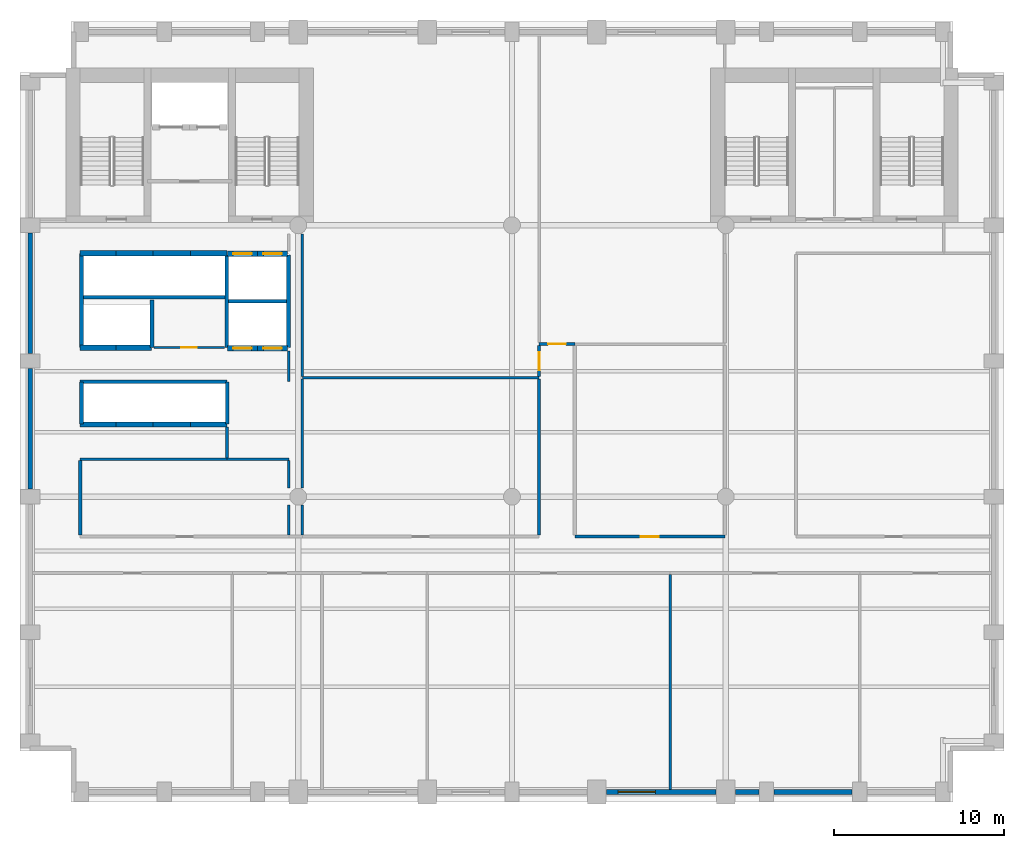
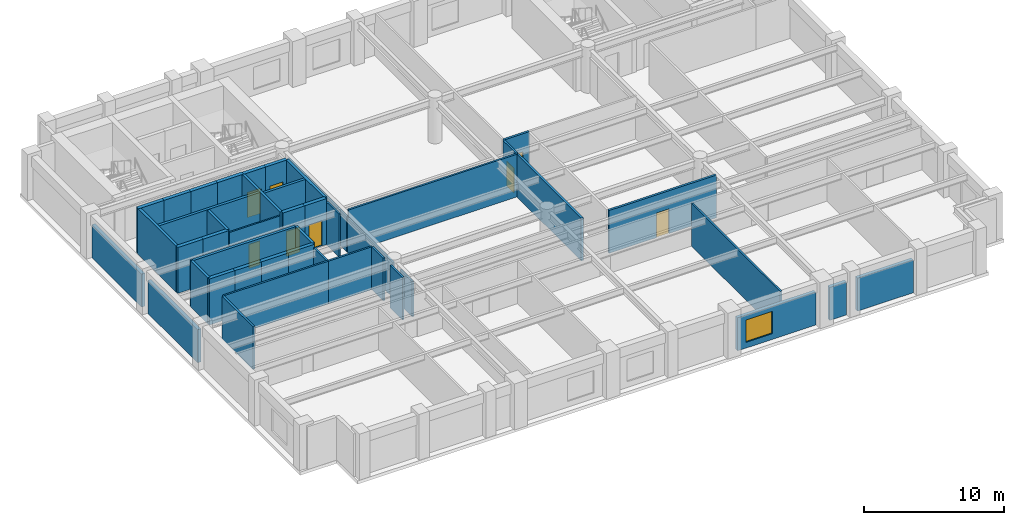
# One storey, part 3 of 7: 45 walls, 8 doors, 1 window, 9 openings.
"""IFC4 building model written with IfcOpenShell, lengths in metres."""

from ifc_helpers import new_model, si_unit, direction, frame, frame_2d, origin, place, context, subcontext, project, spatial, rectangle, extrude, material, layer, layer_set, type_object, element, fill, save


model = new_model("IFC4")

# Units and contexts
model_context = context("Model", 3, precision=1e-05, world=origin(), true_north=direction((0.0, 1.0)))
body_context = subcontext(model_context, "Body", "Model", "MODEL_VIEW")
ifc_project = project(units=[si_unit("LENGTHUNIT", "METRE"), si_unit("AREAUNIT", "SQUARE_METRE"), si_unit("VOLUMEUNIT", "CUBIC_METRE"), si_unit("PLANEANGLEUNIT", "RADIAN"), si_unit("MASSUNIT", "GRAM", prefix="KILO")], contexts=[model_context])

# Site, building, storey
site_placement = place(None, origin())
site = spatial("IfcSite", under=ifc_project, at=site_placement, CompositionType="ELEMENT")
building_placement = place(site_placement, origin())
building = spatial("IfcBuilding", under=site, at=building_placement, Name="Sulina Concourse Tower", CompositionType="ELEMENT")
storey_placement = place(building_placement, frame((0.0, 0.0, 92.60009765625)))
storey = spatial("IfcBuildingStorey", under=building, at=storey_placement, Name="L22", CompositionType="ELEMENT", Elevation=92.60009765625)

# Walls
ifc_material_1 = material(Name="Concrete C50/60", Category="concrete")
ifc_layer_1 = layer(ifc_material_1, 0.219970703125)
ifc_layer_set_1 = layer_set([ifc_layer_1], Name="Concrete C50/60")
wall_type_1 = type_object("IfcWallType", Name="Core Lift Hoistway Divider Wall 220mm", PredefinedType="SOLIDWALL", material=ifc_layer_set_1)
wall_1_placement = place(storey_placement, frame((3.550048828125, 29.75, 0.0), z_axis=(0.0, 0.0, 1.0), x_axis=(1.0, 0.0, 0.0)))
element("IfcWall", 1, at=wall_1_placement, inside=storey, type_object=wall_type_1, Name="L22 shaft divider wall HW-LP3-S", PredefinedType="SOLIDWALL", context=body_context, shape_type="SweptSolid", body=[
    extrude(rectangle(XDim=8.64990234375, YDim=0.219970703125, at=frame_2d((4.324951171875, 0.0))), origin(), (0.0, 0.0, 1.0), 4.0),
])
wall_2_placement = place(storey_placement, frame((3.6298828125, 26.800048828125, 0.0), z_axis=(0.0, 0.0, 1.0), x_axis=(0.0, 1.0, 0.0)))
element("IfcWall", 2, at=wall_2_placement, inside=storey, type_object=wall_type_1, Name="L22 shaft divider wall HW-LP3-W", PredefinedType="SOLIDWALL", context=body_context, shape_type="SweptSolid", body=[
    extrude(rectangle(XDim=5.550048828125, YDim=0.219970703125, at=frame_2d((2.77490234375, 0.0))), origin(), (0.0, 0.0, 1.0), 4.0),
])
wall_3_placement = place(storey_placement, frame((7.780029296875, 26.800048828125, 0.0), z_axis=(0.0, 0.0, 1.0), x_axis=(0.0, 1.0, 0.0)))
element("IfcWall", 3, at=wall_3_placement, inside=storey, type_object=wall_type_1, Name="L22 shaft divider wall HW-EXP-E", PredefinedType="SOLIDWALL", context=body_context, shape_type="SweptSolid", body=[
    extrude(rectangle(XDim=2.800048828125, YDim=0.219970703125, at=frame_2d((1.39990234375, 0.0))), origin(), (0.0, 0.0, 1.0), 4.0),
])
for number, where, z_axis, x_axis, name in (
    (4, (12.179931640625, 26.800048828125, 0.0), (0.0, 0.0, 1.0), (0.0, 1.0, 0.0), "L22 shaft divider wall HW-LP2-W"),
    (5, (15.820068359375, 26.800048828125, 0.0), (0.0, 0.0, 1.0), (0.0, 1.0, 0.0), "L22 shaft divider wall HW-LP2-E"),
):
    element("IfcWall", number, at=place(storey_placement, frame(where, z_axis=z_axis, x_axis=x_axis)), inside=storey, type_object=wall_type_1, Name=name, PredefinedType="SOLIDWALL", context=body_context, shape_type="SweptSolid", body=[
        extrude(rectangle(XDim=5.449951171875, YDim=0.219970703125, at=frame_2d((2.72509765625, 0.0))), origin(), (0.0, 0.0, 1.0), 4.0),
    ])
wall_4_placement = place(storey_placement, frame((12.300048828125, 29.52001953125, 0.0), z_axis=(0.0, 0.0, 1.0), x_axis=(1.0, 0.0, 0.0)))
element("IfcWall", 6, at=wall_4_placement, inside=storey, type_object=wall_type_1, Name="L22 shaft divider wall HW-LP2-M", PredefinedType="SOLIDWALL", context=body_context, shape_type="SweptSolid", body=[
    extrude(rectangle(XDim=3.39990234375, YDim=0.219970703125, at=frame_2d((1.699951171875, 0.0))), origin(), (0.0, 0.0, 1.0), 4.0),
])
wall_5_placement = place(storey_placement, frame((3.550048828125, 24.780029296875, 0.0), z_axis=(0.0, 0.0, 1.0), x_axis=(1.0, 0.0, 0.0)))
element("IfcWall", 7, at=wall_5_placement, inside=storey, type_object=wall_type_1, Name="L22 shaft divider wall HW-LP1-N", PredefinedType="SOLIDWALL", context=body_context, shape_type="SweptSolid", body=[
    extrude(rectangle(XDim=8.64990234375, YDim=0.219970703125, at=frame_2d((4.324951171875, 0.0))), origin(), (0.0, 0.0, 1.0), 4.0),
])
for number, where, z_axis, x_axis, name in (
    (8, (3.6298828125, 22.300048828125, 0.0), (0.0, 0.0, 1.0), (0.0, 1.0, 0.0), "L22 shaft divider wall HW-LP1-W"),
    (9, (12.219970703125, 22.300048828125, 0.0), (0.0, 0.0, 1.0), (0.0, 1.0, 0.0), "L22 shaft divider wall HW-LP1-E"),
):
    element("IfcWall", number, at=place(storey_placement, frame(where, z_axis=z_axis, x_axis=x_axis)), inside=storey, type_object=wall_type_1, Name=name, PredefinedType="SOLIDWALL", context=body_context, shape_type="SweptSolid", body=[
        extrude(rectangle(XDim=2.449951171875, YDim=0.219970703125, at=frame_2d((1.22509765625, 0.0))), origin(), (0.0, 0.0, 1.0), 4.0),
    ])
ifc_material_2 = material(Name="Concrete C50/60", Category="concrete")
ifc_layer_2 = layer(ifc_material_2, 0.300048828125)
ifc_layer_set_2 = layer_set([ifc_layer_2], Name="Concrete C50/60")
wall_type_2 = type_object("IfcWallType", Name="Core Lift Hoistway Wall 300mm", PredefinedType="SOLIDWALL", material=ifc_layer_set_2)
wall_6_placement = place(storey_placement, frame((5.64990234375, 22.25, 0.0), z_axis=(0.0, 0.0, 1.0), x_axis=(-1.0, 0.0, 0.0)))
element("IfcWall", 10, at=wall_6_placement, inside=storey, type_object=wall_type_2, Name="L22 hoistway enclosure wall LP-01", PredefinedType="SOLIDWALL", context=body_context, shape_type="SweptSolid", body=[
    extrude(rectangle(XDim=2.099853515625, YDim=0.300048828125, at=frame_2d((1.0498046875, 0.0))), origin(), (0.0, 0.0, 1.0), 4.0),
])
wall_7_placement = place(storey_placement, frame((7.85009765625, 22.25, 0.0), z_axis=(0.0, 0.0, 1.0), x_axis=(-1.0, 0.0, 0.0)))
element("IfcWall", 11, at=wall_7_placement, inside=storey, type_object=wall_type_2, Name="L22 hoistway enclosure wall LP-02", PredefinedType="SOLIDWALL", context=body_context, shape_type="SweptSolid", body=[
    extrude(rectangle(XDim=2.2001953125, YDim=0.300048828125, at=frame_2d((1.10009765625, 0.0))), origin(), (0.0, 0.0, 1.0), 4.0),
])
wall_8_placement = place(storey_placement, frame((10.050048828125, 22.25, 0.0), z_axis=(0.0, 0.0, 1.0), x_axis=(-1.0, 0.0, 0.0)))
element("IfcWall", 12, at=wall_8_placement, inside=storey, type_object=wall_type_2, Name="L22 hoistway enclosure wall LP-03", PredefinedType="SOLIDWALL", context=body_context, shape_type="SweptSolid", body=[
    extrude(rectangle(XDim=2.199951171875, YDim=0.300048828125, at=frame_2d((1.10009765625, 0.0))), origin(), (0.0, 0.0, 1.0), 4.0),
])
wall_9_placement = place(storey_placement, frame((12.199951171875, 22.25, 0.0), z_axis=(0.0, 0.0, 1.0), x_axis=(-1.0, 0.0, 0.0)))
element("IfcWall", 13, at=wall_9_placement, inside=storey, type_object=wall_type_2, Name="L22 hoistway enclosure wall LP-04", PredefinedType="SOLIDWALL", context=body_context, shape_type="SweptSolid", body=[
    extrude(rectangle(XDim=2.14990234375, YDim=0.300048828125, at=frame_2d((1.074951171875, 0.0))), origin(), (0.0, 0.0, 1.0), 4.0),
])

# Wall, opening, door
wall_10_placement = place(storey_placement, frame((14.0, 26.75, 0.0), z_axis=(0.0, 0.0, 1.0), x_axis=(-1.0, 0.0, 0.0)))
wall_10 = element("IfcWall", 14, at=wall_10_placement, inside=storey, type_object=wall_type_2, Name="L22 hoistway enclosure wall LP-05", PredefinedType="SOLIDWALL", context=body_context, shape_type="SweptSolid", body=[
    extrude(rectangle(XDim=1.780029296875, YDim=0.300048828125, at=frame_2d((0.89013671875, 0.0))), origin(), (0.0, 0.0, 1.0), 4.0),
])
opening_1_placement = place(wall_10_placement, frame((0.340087890625, 0.0, 0.0)))
opening_1 = element("IfcOpeningElement", 15, at=opening_1_placement, cuts=wall_10, Name="Opening LD-01", PredefinedType="OPENING", context=body_context, shape_type="SweptSolid", body=[
    extrude(rectangle(XDim=1.10009765625, YDim=2.199951171875, at=frame_2d((0.550048828125, 1.10009765625))), frame((0.0, 0.159912109375, 0.0), z_axis=(0.0, -1.0, 0.0), x_axis=(1.0, 0.0, 0.0)), (0.0, 0.0, 1.0), 0.320068359375),
])
ifc_material_3 = material(Name="Stainless steel lift landing door", Category="steel")
ifc_layer_3 = layer(ifc_material_3, 0.050048828125)
ifc_layer_set_3 = layer_set([ifc_layer_3], Name="Stainless steel lift landing door")
door_type_1 = type_object("IfcDoorType", Name="Passenger Lift Sliding Landing Door 1100x2200", OperationType="SLIDING_TO_LEFT", PredefinedType="DOOR", material=ifc_layer_set_3)
door_1_placement = place(opening_1_placement, origin())
door_1 = element("IfcDoor", 16, at=door_1_placement, inside=storey, type_object=door_type_1, Name="L22 lift landing sliding door LP-05", OperationType="SLIDING_TO_LEFT", OverallHeight=2.199951171875, OverallWidth=1.10009765625, PredefinedType="DOOR", context=body_context, shape_type="SweptSolid", body=[
    extrude(rectangle(XDim=1.10009765625, YDim=2.199951171875, at=frame_2d((0.550048828125, 1.10009765625))), frame((0.0, 0.02490234375, 0.0), z_axis=(0.0, -1.0, 0.0), x_axis=(1.0, 0.0, 0.0)), (0.0, 0.0, 1.0), 0.050048828125),
])
fill(opening_1, door_1)

wall_11_placement = place(storey_placement, frame((15.780029296875, 26.75, 0.0), z_axis=(0.0, 0.0, 1.0), x_axis=(-1.0, 0.0, 0.0)))
wall_11 = element("IfcWall", 17, at=wall_11_placement, inside=storey, type_object=wall_type_2, Name="L22 hoistway enclosure wall LP-06", PredefinedType="SOLIDWALL", context=body_context, shape_type="SweptSolid", body=[
    extrude(rectangle(XDim=1.780029296875, YDim=0.300048828125, at=frame_2d((0.89013671875, 0.0))), origin(), (0.0, 0.0, 1.0), 4.0),
])
opening_2_placement = place(wall_11_placement, frame((0.340087890625, 0.0, 0.0)))
opening_2 = element("IfcOpeningElement", 18, at=opening_2_placement, cuts=wall_11, Name="Opening LD-01", PredefinedType="OPENING", context=body_context, shape_type="SweptSolid", body=[
    extrude(rectangle(XDim=1.10009765625, YDim=2.199951171875, at=frame_2d((0.550048828125, 1.10009765625))), frame((0.0, 0.159912109375, 0.0), z_axis=(0.0, -1.0, 0.0), x_axis=(1.0, 0.0, 0.0)), (0.0, 0.0, 1.0), 0.320068359375),
])
door_2_placement = place(opening_2_placement, origin())
door_2 = element("IfcDoor", 19, at=door_2_placement, inside=storey, type_object=door_type_1, Name="L22 lift landing sliding door LP-06", OperationType="SLIDING_TO_RIGHT", OverallHeight=2.199951171875, OverallWidth=1.10009765625, PredefinedType="DOOR", context=body_context, shape_type="SweptSolid", body=[
    extrude(rectangle(XDim=1.10009765625, YDim=2.199951171875, at=frame_2d((0.550048828125, 1.10009765625))), frame((0.0, 0.02490234375, 0.0), z_axis=(0.0, -1.0, 0.0), x_axis=(1.0, 0.0, 0.0)), (0.0, 0.0, 1.0), 0.050048828125),
])
fill(opening_2, door_2)

wall_12_placement = place(storey_placement, frame((12.219970703125, 32.320068359375, 0.0), z_axis=(0.0, 0.0, 1.0), x_axis=(1.0, 0.0, 0.0)))
wall_12 = element("IfcWall", 20, at=wall_12_placement, inside=storey, type_object=wall_type_2, Name="L22 hoistway enclosure wall LP-07", PredefinedType="SOLIDWALL", context=body_context, shape_type="SweptSolid", body=[
    extrude(rectangle(XDim=1.780029296875, YDim=0.300048828125, at=frame_2d((0.89013671875, 0.0))), origin(), (0.0, 0.0, 1.0), 4.0),
])
opening_3_placement = place(wall_12_placement, frame((0.340087890625, 0.0, 0.0)))
opening_3 = element("IfcOpeningElement", 21, at=opening_3_placement, cuts=wall_12, Name="Opening LD-01", PredefinedType="OPENING", context=body_context, shape_type="SweptSolid", body=[
    extrude(rectangle(XDim=1.10009765625, YDim=2.199951171875, at=frame_2d((0.550048828125, 1.10009765625))), frame((0.0, 0.159912109375, 0.0), z_axis=(0.0, -1.0, 0.0), x_axis=(1.0, 0.0, 0.0)), (0.0, 0.0, 1.0), 0.320068359375),
])
door_3_placement = place(opening_3_placement, origin())
door_3 = element("IfcDoor", 22, at=door_3_placement, inside=storey, type_object=door_type_1, Name="L22 lift landing sliding door LP-07", OperationType="SLIDING_TO_LEFT", OverallHeight=2.199951171875, OverallWidth=1.10009765625, PredefinedType="DOOR", context=body_context, shape_type="SweptSolid", body=[
    extrude(rectangle(XDim=1.10009765625, YDim=2.199951171875, at=frame_2d((0.550048828125, 1.10009765625))), frame((0.0, 0.02490234375, 0.0), z_axis=(0.0, -1.0, 0.0), x_axis=(1.0, 0.0, 0.0)), (0.0, 0.0, 1.0), 0.050048828125),
])
fill(opening_3, door_3)

wall_13_placement = place(storey_placement, frame((14.0, 32.320068359375, 0.0), z_axis=(0.0, 0.0, 1.0), x_axis=(1.0, 0.0, 0.0)))
wall_13 = element("IfcWall", 23, at=wall_13_placement, inside=storey, type_object=wall_type_2, Name="L22 hoistway enclosure wall LP-08", PredefinedType="SOLIDWALL", context=body_context, shape_type="SweptSolid", body=[
    extrude(rectangle(XDim=1.780029296875, YDim=0.300048828125, at=frame_2d((0.89013671875, 0.0))), origin(), (0.0, 0.0, 1.0), 4.0),
])
opening_4_placement = place(wall_13_placement, frame((0.340087890625, 0.0, 0.0)))
opening_4 = element("IfcOpeningElement", 24, at=opening_4_placement, cuts=wall_13, Name="Opening LD-01", PredefinedType="OPENING", context=body_context, shape_type="SweptSolid", body=[
    extrude(rectangle(XDim=1.10009765625, YDim=2.199951171875, at=frame_2d((0.550048828125, 1.10009765625))), frame((0.0, 0.159912109375, 0.0), z_axis=(0.0, -1.0, 0.0), x_axis=(1.0, 0.0, 0.0)), (0.0, 0.0, 1.0), 0.320068359375),
])
door_4_placement = place(opening_4_placement, origin())
door_4 = element("IfcDoor", 25, at=door_4_placement, inside=storey, type_object=door_type_1, Name="L22 lift landing sliding door LP-08", OperationType="SLIDING_TO_RIGHT", OverallHeight=2.199951171875, OverallWidth=1.10009765625, PredefinedType="DOOR", context=body_context, shape_type="SweptSolid", body=[
    extrude(rectangle(XDim=1.10009765625, YDim=2.199951171875, at=frame_2d((0.550048828125, 1.10009765625))), frame((0.0, 0.02490234375, 0.0), z_axis=(0.0, -1.0, 0.0), x_axis=(1.0, 0.0, 0.0)), (0.0, 0.0, 1.0), 0.050048828125),
])
fill(opening_4, door_4)

# Walls
wall_14_placement = place(storey_placement, frame((3.550048828125, 32.35009765625, 0.0), z_axis=(0.0, 0.0, 1.0), x_axis=(1.0, 0.0, 0.0)))
element("IfcWall", 26, at=wall_14_placement, inside=storey, type_object=wall_type_2, Name="L22 hoistway enclosure wall LP-09", PredefinedType="SOLIDWALL", context=body_context, shape_type="SweptSolid", body=[
    extrude(rectangle(XDim=2.099853515625, YDim=0.300048828125, at=frame_2d((1.0498046875, 0.0))), origin(), (0.0, 0.0, 1.0), 4.0),
])
wall_15_placement = place(storey_placement, frame((5.64990234375, 32.35009765625, 0.0), z_axis=(0.0, 0.0, 1.0), x_axis=(1.0, 0.0, 0.0)))
element("IfcWall", 27, at=wall_15_placement, inside=storey, type_object=wall_type_2, Name="L22 hoistway enclosure wall LP-10", PredefinedType="SOLIDWALL", context=body_context, shape_type="SweptSolid", body=[
    extrude(rectangle(XDim=2.2001953125, YDim=0.300048828125, at=frame_2d((1.10009765625, 0.0))), origin(), (0.0, 0.0, 1.0), 4.0),
])
wall_16_placement = place(storey_placement, frame((7.85009765625, 32.35009765625, 0.0), z_axis=(0.0, 0.0, 1.0), x_axis=(1.0, 0.0, 0.0)))
element("IfcWall", 28, at=wall_16_placement, inside=storey, type_object=wall_type_2, Name="L22 hoistway enclosure wall LP-11", PredefinedType="SOLIDWALL", context=body_context, shape_type="SweptSolid", body=[
    extrude(rectangle(XDim=2.199951171875, YDim=0.300048828125, at=frame_2d((1.10009765625, 0.0))), origin(), (0.0, 0.0, 1.0), 4.0),
])
wall_17_placement = place(storey_placement, frame((10.050048828125, 32.35009765625, 0.0), z_axis=(0.0, 0.0, 1.0), x_axis=(1.0, 0.0, 0.0)))
element("IfcWall", 29, at=wall_17_placement, inside=storey, type_object=wall_type_2, Name="L22 hoistway enclosure wall LP-12", PredefinedType="SOLIDWALL", context=body_context, shape_type="SweptSolid", body=[
    extrude(rectangle(XDim=2.14990234375, YDim=0.300048828125, at=frame_2d((1.074951171875, 0.0))), origin(), (0.0, 0.0, 1.0), 4.0),
])
wall_18_placement = place(storey_placement, frame((5.64990234375, 26.780029296875, 0.0), z_axis=(0.0, 0.0, 1.0), x_axis=(-1.0, 0.0, 0.0)))
element("IfcWall", 30, at=wall_18_placement, inside=storey, type_object=wall_type_2, Name="L22 hoistway enclosure wall EXP-1", PredefinedType="SOLIDWALL", context=body_context, shape_type="SweptSolid", body=[
    extrude(rectangle(XDim=2.099853515625, YDim=0.300048828125, at=frame_2d((1.0498046875, 0.0))), origin(), (0.0, 0.0, 1.0), 4.0),
])
wall_19_placement = place(storey_placement, frame((7.75, 26.780029296875, 0.0), z_axis=(0.0, 0.0, 1.0), x_axis=(-1.0, 0.0, 0.0)))
element("IfcWall", 31, at=wall_19_placement, inside=storey, type_object=wall_type_2, Name="L22 hoistway enclosure wall EXP-2", PredefinedType="SOLIDWALL", context=body_context, shape_type="SweptSolid", body=[
    extrude(rectangle(XDim=2.10009765625, YDim=0.300048828125, at=frame_2d((1.050048828125, 0.0))), origin(), (0.0, 0.0, 1.0), 4.0),
])
ifc_material_4 = material(Name="Gypsum board on steel stud", Category="steel")
ifc_layer_4 = layer(ifc_material_4, 0.14990234375)
ifc_layer_set_4 = layer_set([ifc_layer_4], Name="Gypsum board on steel stud")
wall_type_3 = type_object("IfcWallType", Name="Inter-Tenancy Acoustic Partition 150mm", PredefinedType="PARTITIONING", material=ifc_layer_set_4)
wall_20_placement = place(storey_placement, frame((3.550048828125, 20.199951171875, 0.0), z_axis=(0.0, 0.0, 1.0), x_axis=(1.0, 0.0, 0.0)))
element("IfcWall", 32, at=wall_20_placement, inside=storey, type_object=wall_type_3, Name="L22 interior partition 012", PredefinedType="PARTITIONING", context=body_context, shape_type="SweptSolid", body=[
    extrude(rectangle(XDim=8.64990234375, YDim=0.14990234375, at=frame_2d((4.324951171875, 0.0))), origin(), (0.0, 0.0, 1.0), 3.724853515625),
])
wall_21_placement = place(storey_placement, frame((12.199951171875, 20.199951171875, 0.0), z_axis=(0.0, 0.0, 1.0), x_axis=(1.0, 0.0, 0.0)))
element("IfcWall", 33, at=wall_21_placement, inside=storey, type_object=wall_type_3, Name="L22 interior partition 013", PredefinedType="PARTITIONING", context=body_context, shape_type="SweptSolid", body=[
    extrude(rectangle(XDim=3.650146484375, YDim=0.14990234375, at=frame_2d((1.8251953125, 0.0))), origin(), (0.0, 0.0, 1.0), 3.724853515625),
])
wall_22_placement = place(storey_placement, frame((16.64990234375, 25.0, 0.0), z_axis=(0.0, 0.0, 1.0), x_axis=(1.0, 0.0, 0.0)))
element("IfcWall", 34, at=wall_22_placement, inside=storey, type_object=wall_type_3, Name="L22 interior partition 014", PredefinedType="PARTITIONING", context=body_context, shape_type="SweptSolid", body=[
    extrude(rectangle(XDim=13.9501953125, YDim=0.14990234375, at=frame_2d((6.97509765625, 0.0))), origin(), (0.0, 0.0, 1.0), 3.724853515625),
])
wall_23_placement = place(storey_placement, frame((12.199951171875, 20.27490234375, 0.0), z_axis=(0.0, 0.0, 1.0), x_axis=(0.0, 1.0, 0.0)))
element("IfcWall", 35, at=wall_23_placement, inside=storey, type_object=wall_type_3, Name="L22 interior partition 024", PredefinedType="PARTITIONING", context=body_context, shape_type="SweptSolid", body=[
    extrude(rectangle(XDim=1.8251953125, YDim=0.14990234375, at=frame_2d((0.91259765625, 0.0))), origin(), (0.0, 0.0, 1.0), 3.724853515625),
])
wall_24_placement = place(storey_placement, frame((15.85009765625, 15.739990234375, 0.0), z_axis=(0.0, 0.0, 1.0), x_axis=(0.0, 1.0, 0.0)))
element("IfcWall", 36, at=wall_24_placement, inside=storey, type_object=wall_type_3, Name="L22 interior partition 026", PredefinedType="PARTITIONING", context=body_context, shape_type="SweptSolid", body=[
    extrude(rectangle(XDim=1.760009765625, YDim=0.14990234375, at=frame_2d((0.8798828125, 0.0))), origin(), (0.0, 0.0, 1.0), 3.724853515625),
])
wall_25_placement = place(storey_placement, frame((15.85009765625, 18.5, 0.0), z_axis=(0.0, 0.0, 1.0), x_axis=(0.0, 1.0, 0.0)))
element("IfcWall", 37, at=wall_25_placement, inside=storey, type_object=wall_type_3, Name="L22 interior partition 027", PredefinedType="PARTITIONING", context=body_context, shape_type="SweptSolid", body=[
    extrude(rectangle(XDim=1.625, YDim=0.14990234375, at=frame_2d((0.8125, 0.0))), origin(), (0.0, 0.0, 1.0), 3.724853515625),
])
wall_26_placement = place(storey_placement, frame((15.85009765625, 24.800048828125, 0.0), z_axis=(0.0, 0.0, 1.0), x_axis=(0.0, 1.0, 0.0)))
element("IfcWall", 38, at=wall_26_placement, inside=storey, type_object=wall_type_3, Name="L22 interior partition 028", PredefinedType="PARTITIONING", context=body_context, shape_type="SweptSolid", body=[
    extrude(rectangle(XDim=1.800048828125, YDim=0.14990234375, at=frame_2d((0.89990234375, 0.0))), origin(), (0.0, 0.0, 1.0), 3.724853515625),
])
wall_27_placement = place(storey_placement, frame((16.64990234375, 15.739990234375, 0.0), z_axis=(0.0, 0.0, 1.0), x_axis=(0.0, 1.0, 0.0)))
element("IfcWall", 39, at=wall_27_placement, inside=storey, type_object=wall_type_3, Name="L22 interior partition 030", PredefinedType="PARTITIONING", context=body_context, shape_type="SweptSolid", body=[
    extrude(rectangle(XDim=1.760009765625, YDim=0.14990234375, at=frame_2d((0.8798828125, 0.0))), origin(), (0.0, 0.0, 1.0), 3.06982421875),
])
wall_28_placement = place(storey_placement, frame((16.64990234375, 18.5, 0.0), z_axis=(0.0, 0.0, 1.0), x_axis=(0.0, 1.0, 0.0)))
element("IfcWall", 40, at=wall_28_placement, inside=storey, type_object=wall_type_3, Name="L22 interior partition 031", PredefinedType="PARTITIONING", context=body_context, shape_type="SweptSolid", body=[
    extrude(rectangle(XDim=6.425048828125, YDim=0.14990234375, at=frame_2d((3.21240234375, 0.0))), origin(), (0.0, 0.0, 1.0), 3.06982421875),
])
wall_29_placement = place(storey_placement, frame((16.64990234375, 25.074951171875, 0.0), z_axis=(0.0, 0.0, 1.0), x_axis=(0.0, 1.0, 0.0)))
element("IfcWall", 41, at=wall_29_placement, inside=storey, type_object=wall_type_3, Name="L22 interior partition 032", PredefinedType="PARTITIONING", context=body_context, shape_type="SweptSolid", body=[
    extrude(rectangle(XDim=8.425048828125, YDim=0.14990234375, at=frame_2d((4.21240234375, 0.0))), origin(), (0.0, 0.0, 1.0), 3.06982421875),
])
wall_30_placement = place(storey_placement, frame((38.320068359375, 0.739990234375, 0.0), z_axis=(0.0, 0.0, 1.0), x_axis=(0.0, 1.0, 0.0)))
element("IfcWall", 42, at=wall_30_placement, inside=storey, type_object=wall_type_3, Name="L22 interior partition 039", PredefinedType="PARTITIONING", context=body_context, shape_type="SweptSolid", body=[
    extrude(rectangle(XDim=12.669921875, YDim=0.14990234375, at=frame_2d((6.3349609375, 0.0))), origin(), (0.0, 0.0, 1.0), 3.724853515625),
])

# Wall, opening, door
ifc_material_5 = material(Name="Gypsum board on steel stud", Category="steel")
ifc_layer_5 = layer(ifc_material_5, 0.179931640625)
ifc_layer_set_5 = layer_set([ifc_layer_5], Name="Gypsum board on steel stud")
wall_type_4 = type_object("IfcWallType", Name="Protected Corridor & Riser Partition 180mm", PredefinedType="PARTITIONING", material=ifc_layer_set_5)
wall_31_placement = place(storey_placement, frame((32.699951171875, 15.64990234375, 0.0), z_axis=(0.0, 0.0, 1.0), x_axis=(1.0, 0.0, 0.0)))
wall_31 = element("IfcWall", 43, at=wall_31_placement, inside=storey, type_object=wall_type_4, Name="L22 interior partition 010", PredefinedType="PARTITIONING", context=body_context, shape_type="SweptSolid", body=[
    extrude(rectangle(XDim=8.85009765625, YDim=0.179931640625, at=frame_2d((4.425048828125, 0.0))), origin(), (0.0, 0.0, 1.0), 3.724853515625),
])
opening_5_placement = place(wall_31_placement, frame((3.89990234375, 0.0, 0.0)))
opening_5 = element("IfcOpeningElement", 44, at=opening_5_placement, cuts=wall_31, Name="Opening DR-37", PredefinedType="OPENING", context=body_context, shape_type="SweptSolid", body=[
    extrude(rectangle(XDim=1.050048828125, YDim=2.14990234375, at=frame_2d((0.52490234375, 1.074951171875))), frame((0.0, 0.099853515625, 0.0), z_axis=(0.0, -1.0, 0.0), x_axis=(1.0, 0.0, 0.0)), (0.0, 0.0, 1.0), 0.199951171875),
])
ifc_material_6 = material(Name="Oak-veneered fire door leaf")
ifc_layer_6 = layer(ifc_material_6, 0.050048828125)
ifc_layer_set_6 = layer_set([ifc_layer_6], Name="Oak-veneered fire door leaf")
door_type_2 = type_object("IfcDoorType", Name="Tenant Suite Entrance Fire Door 1050x2150", OperationType="NOTDEFINED", PredefinedType="DOOR", material=ifc_layer_set_6)
door_5_placement = place(opening_5_placement, origin())
door_5 = element("IfcDoor", 45, at=door_5_placement, inside=storey, type_object=door_type_2, Name="L22 interior door L22-NC3", OperationType="SINGLE_SWING_RIGHT", OverallHeight=2.14990234375, OverallWidth=1.050048828125, PredefinedType="DOOR", context=body_context, shape_type="SweptSolid", body=[
    extrude(rectangle(XDim=1.050048828125, YDim=2.14990234375, at=frame_2d((0.52490234375, 1.074951171875))), frame((0.0, 0.02490234375, 0.0), z_axis=(0.0, -1.0, 0.0), x_axis=(1.0, 0.0, 0.0)), (0.0, 0.0, 1.0), 0.050048828125),
])
fill(opening_5, door_5)

wall_32_placement = place(storey_placement, frame((30.60009765625, 27.0, 0.0), z_axis=(0.0, 0.0, 1.0), x_axis=(1.0, 0.0, 0.0)))
wall_32 = element("IfcWall", 46, at=wall_32_placement, inside=storey, type_object=wall_type_4, Name="L22 interior partition 016", PredefinedType="PARTITIONING", context=body_context, shape_type="SweptSolid", body=[
    extrude(rectangle(XDim=2.099853515625, YDim=0.179931640625, at=frame_2d((1.0498046875, 0.0))), origin(), (0.0, 0.0, 1.0), 3.724853515625),
])
opening_6_placement = place(wall_32_placement, frame((0.52490234375, 0.0, 0.0)))
opening_6 = element("IfcOpeningElement", 47, at=opening_6_placement, cuts=wall_32, Name="Opening DR-37", PredefinedType="OPENING", context=body_context, shape_type="SweptSolid", body=[
    extrude(rectangle(XDim=1.050048828125, YDim=2.14990234375, at=frame_2d((0.52490234375, 1.074951171875))), frame((0.0, 0.099853515625, 0.0), z_axis=(0.0, -1.0, 0.0), x_axis=(1.0, 0.0, 0.0)), (0.0, 0.0, 1.0), 0.199951171875),
])
door_6_placement = place(opening_6_placement, origin())
door_6 = element("IfcDoor", 48, at=door_6_placement, inside=storey, type_object=door_type_2, Name="L22 interior door L22-NC4", OperationType="SINGLE_SWING_LEFT", OverallHeight=2.14990234375, OverallWidth=1.050048828125, PredefinedType="DOOR", context=body_context, shape_type="SweptSolid", body=[
    extrude(rectangle(XDim=1.050048828125, YDim=2.14990234375, at=frame_2d((0.52490234375, 1.074951171875))), frame((0.0, 0.02490234375, 0.0), z_axis=(0.0, -1.0, 0.0), x_axis=(1.0, 0.0, 0.0)), (0.0, 0.0, 1.0), 0.050048828125),
])
fill(opening_6, door_6)

# Walls
wall_33_placement = place(storey_placement, frame((3.550048828125, 15.739990234375, 0.0), z_axis=(0.0, 0.0, 1.0), x_axis=(0.0, 1.0, 0.0)))
element("IfcWall", 49, at=wall_33_placement, inside=storey, type_object=wall_type_4, Name="L22 interior partition 023", PredefinedType="PARTITIONING", context=body_context, shape_type="SweptSolid", body=[
    extrude(rectangle(XDim=4.385009765625, YDim=0.179931640625, at=frame_2d((2.1923828125, 0.0))), origin(), (0.0, 0.0, 1.0), 3.724853515625),
])
wall_34_placement = place(storey_placement, frame((30.60009765625, 15.739990234375, 0.0), z_axis=(0.0, 0.0, 1.0), x_axis=(0.0, 1.0, 0.0)))
element("IfcWall", 50, at=wall_34_placement, inside=storey, type_object=wall_type_4, Name="L22 interior partition 035", PredefinedType="PARTITIONING", context=body_context, shape_type="SweptSolid", body=[
    extrude(rectangle(XDim=9.18505859375, YDim=0.179931640625, at=frame_2d((4.592529296875, 0.0))), origin(), (0.0, 0.0, 1.0), 3.724853515625),
])

# Wall, opening, door
wall_35_placement = place(storey_placement, frame((30.60009765625, 25.074951171875, 0.0), z_axis=(0.0, 0.0, 1.0), x_axis=(0.0, 1.0, 0.0)))
wall_35 = element("IfcWall", 51, at=wall_35_placement, inside=storey, type_object=wall_type_4, Name="L22 interior partition 036", PredefinedType="PARTITIONING", context=body_context, shape_type="SweptSolid", body=[
    extrude(rectangle(XDim=1.8349609375, YDim=0.179931640625, at=frame_2d((0.91748046875, 0.0))), origin(), (0.0, 0.0, 1.0), 3.724853515625),
])
opening_7_placement = place(wall_35_placement, frame((0.392578125, 0.0, 0.0)))
opening_7 = element("IfcOpeningElement", 52, at=opening_7_placement, cuts=wall_35, Name="Opening DR-37", PredefinedType="OPENING", context=body_context, shape_type="SweptSolid", body=[
    extrude(rectangle(XDim=1.050048828125, YDim=2.14990234375, at=frame_2d((0.52490234375, 1.074951171875))), frame((0.0, 0.099853515625, 0.0), z_axis=(0.0, -1.0, 0.0), x_axis=(1.0, 0.0, 0.0)), (0.0, 0.0, 1.0), 0.199951171875),
])
door_7_placement = place(opening_7_placement, origin())
door_7 = element("IfcDoor", 53, at=door_7_placement, inside=storey, type_object=door_type_2, Name="L22 interior door L22-NC2", OperationType="SINGLE_SWING_RIGHT", OverallHeight=2.14990234375, OverallWidth=1.050048828125, PredefinedType="DOOR", context=body_context, shape_type="SweptSolid", body=[
    extrude(rectangle(XDim=1.050048828125, YDim=2.14990234375, at=frame_2d((0.52490234375, 1.074951171875))), frame((0.0, 0.02490234375, 0.0), z_axis=(0.0, -1.0, 0.0), x_axis=(1.0, 0.0, 0.0)), (0.0, 0.0, 1.0), 0.050048828125),
])
fill(opening_7, door_7)

# Wall, opening, window
ifc_material_7 = material(Name="Precast concrete C50/60", Category="concrete")
ifc_layer_7 = layer(ifc_material_7, 0.280029296875)
ifc_layer_set_7 = layer_set([ifc_layer_7], Name="Precast concrete C50/60")
wall_type_5 = type_object("IfcWallType", Name="Typical Precast Masonry-Frame Facade Wall 280mm", PredefinedType="SOLIDWALL", material=ifc_layer_set_7)
wall_36_placement = place(storey_placement, frame((41.030029296875, 0.60009765625, 0.0), z_axis=(0.0, 0.0, 1.0), x_axis=(-1.0, 0.0, 0.0)))
wall_36 = element("IfcWall", 54, at=wall_36_placement, inside=storey, type_object=wall_type_5, Name="L22 exterior precast wall S7", PredefinedType="SOLIDWALL", context=body_context, shape_type="SweptSolid", body=[
    extrude(rectangle(XDim=6.4599609375, YDim=0.280029296875, at=frame_2d((3.22998046875, 0.0))), origin(), (0.0, 0.0, 1.0), 2.875),
])
opening_8_placement = place(wall_36_placement, frame((3.5732421875, 0.0, 0.5)))
opening_8 = element("IfcOpeningElement", 55, at=opening_8_placement, cuts=wall_36, Name="Opening WN-76", PredefinedType="OPENING", context=body_context, shape_type="SweptSolid", body=[
    extrude(rectangle(XDim=2.199951171875, YDim=1.949951171875, at=frame_2d((1.10009765625, 0.97509765625))), frame((0.0, 0.14990234375, 0.0), z_axis=(0.0, -1.0, 0.0), x_axis=(1.0, 0.0, 0.0)), (0.0, 0.0, 1.0), 0.300048828125),
])
ifc_material_8 = material(Name="Low-E solar double glazing in bronze aluminium", Category="aluminium")
window_type = type_object("IfcWindowType", Name="Recessed Spandrel Window 2200x1950", PartitioningType="DOUBLE_PANEL_VERTICAL", PredefinedType="WINDOW", material=ifc_material_8)
window_placement = place(opening_8_placement, origin())
window = element("IfcWindow", 56, at=window_placement, inside=storey, type_object=window_type, Name="L22 punched window S7-1", OverallHeight=1.949951171875, OverallWidth=2.199951171875, PartitioningType="SINGLE_PANEL", PredefinedType="WINDOW", context=body_context, shape_type="SweptSolid", body=[
    extrude(rectangle(XDim=2.199951171875, YDim=1.949951171875, at=frame_2d((1.10009765625, 0.97509765625))), frame((0.0, 0.030029296875, 0.0), z_axis=(0.0, -1.0, 0.0), x_axis=(1.0, 0.0, 0.0)), (0.0, 0.0, 1.0), 0.06005859375),
])
fill(opening_8, window)

# Walls
wall_37_placement = place(storey_placement, frame((43.554931640625, 0.60009765625, 0.0), z_axis=(0.0, 0.0, 1.0), x_axis=(-1.0, 0.0, 0.0)))
element("IfcWall", 57, at=wall_37_placement, inside=storey, type_object=wall_type_5, Name="L22 exterior precast wall S8", PredefinedType="SOLIDWALL", context=body_context, shape_type="SweptSolid", body=[
    extrude(rectangle(XDim=1.385009765625, YDim=0.280029296875, at=frame_2d((0.6923828125, 0.0))), origin(), (0.0, 0.0, 1.0), 2.875),
])
wall_38_placement = place(storey_placement, frame((49.054931640625, 0.60009765625, 0.0), z_axis=(0.0, 0.0, 1.0), x_axis=(-1.0, 0.0, 0.0)))
element("IfcWall", 58, at=wall_38_placement, inside=storey, type_object=wall_type_5, Name="L22 exterior precast wall S9", PredefinedType="SOLIDWALL", context=body_context, shape_type="SweptSolid", body=[
    extrude(rectangle(XDim=4.60986328125, YDim=0.280029296875, at=frame_2d((2.304931640625, 0.0))), origin(), (0.0, 0.0, 1.0), 2.875),
])
for number, where, z_axis, x_axis, name in (
    (59, (0.60009765625, 18.445068359375, 0.0), (0.0, 0.0, 1.0), (0.0, 1.0, 0.0), "L22 exterior precast wall W3"),
    (60, (0.60009765625, 26.445068359375, 0.0), (0.0, 0.0, 1.0), (0.0, 1.0, 0.0), "L22 exterior precast wall W4"),
):
    element("IfcWall", number, at=place(storey_placement, frame(where, z_axis=z_axis, x_axis=x_axis)), inside=storey, type_object=wall_type_5, Name=name, PredefinedType="SOLIDWALL", context=body_context, shape_type="SweptSolid", body=[
        extrude(rectangle(XDim=7.10986328125, YDim=0.280029296875, at=frame_2d((3.554931640625, 0.0))), origin(), (0.0, 0.0, 1.0), 2.875),
    ])

# Wall, opening, door
ifc_material_9 = material(Name="Gypsum board on steel stud", Category="steel")
ifc_layer_8 = layer(ifc_material_9, 0.125)
ifc_layer_set_8 = layer_set([ifc_layer_8], Name="Gypsum board on steel stud")
wall_type_6 = type_object("IfcWallType", Name="Wet-Area Moisture-Resistant Partition 125mm", PredefinedType="PARTITIONING", material=ifc_layer_set_8)
wall_39_placement = place(storey_placement, frame((7.889892578125, 26.800048828125, 0.0), z_axis=(0.0, 0.0, 1.0), x_axis=(1.0, 0.0, 0.0)))
wall_39 = element("IfcWall", 61, at=wall_39_placement, inside=storey, type_object=wall_type_6, Name="L22 interior partition 015", PredefinedType="PARTITIONING", context=body_context, shape_type="SweptSolid", body=[
    extrude(rectangle(XDim=4.16015625, YDim=0.125, at=frame_2d((2.080078125, 0.0))), origin(), (0.0, 0.0, 1.0), 3.724853515625),
])
opening_9_placement = place(wall_39_placement, frame((1.6201171875, 0.0, 0.0)))
opening_9 = element("IfcOpeningElement", 62, at=opening_9_placement, cuts=wall_39, Name="Opening DR-61", PredefinedType="OPENING", context=body_context, shape_type="SweptSolid", body=[
    extrude(rectangle(XDim=0.919921875, YDim=2.10009765625, at=frame_2d((0.4599609375, 1.050048828125))), frame((0.0, 0.072509765625, 0.0), z_axis=(0.0, -1.0, 0.0), x_axis=(1.0, 0.0, 0.0)), (0.0, 0.0, 1.0), 0.14501953125),
])
ifc_material_10 = material(Name="Oak-veneered fire door leaf")
ifc_layer_9 = layer(ifc_material_10, 0.050048828125)
ifc_layer_set_9 = layer_set([ifc_layer_9], Name="Oak-veneered fire door leaf")
door_type_3 = type_object("IfcDoorType", Name="Accessible WC Door 920x2100", OperationType="NOTDEFINED", PredefinedType="DOOR", material=ifc_layer_set_9)
door_8_placement = place(opening_9_placement, origin())
door_8 = element("IfcDoor", 63, at=door_8_placement, inside=storey, type_object=door_type_3, Name="L22 interior door L22-WC-ACC", OperationType="SINGLE_SWING_RIGHT", OverallHeight=2.10009765625, OverallWidth=0.919921875, PredefinedType="DOOR", context=body_context, shape_type="SweptSolid", body=[
    extrude(rectangle(XDim=0.919921875, YDim=2.10009765625, at=frame_2d((0.4599609375, 1.050048828125))), frame((0.0, 0.02490234375, 0.0), z_axis=(0.0, -1.0, 0.0), x_axis=(1.0, 0.0, 0.0)), (0.0, 0.0, 1.0), 0.050048828125),
])
fill(opening_9, door_8)

save(model, "model.ifc")
